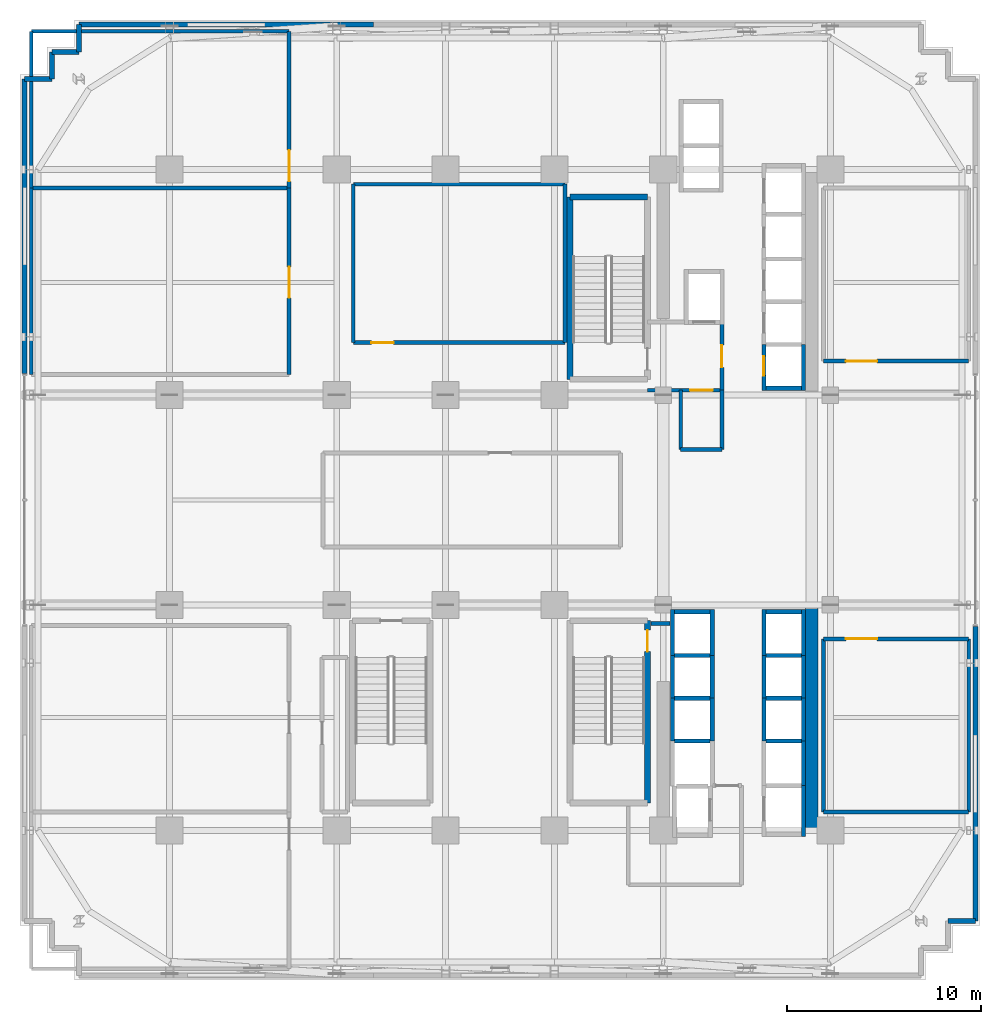
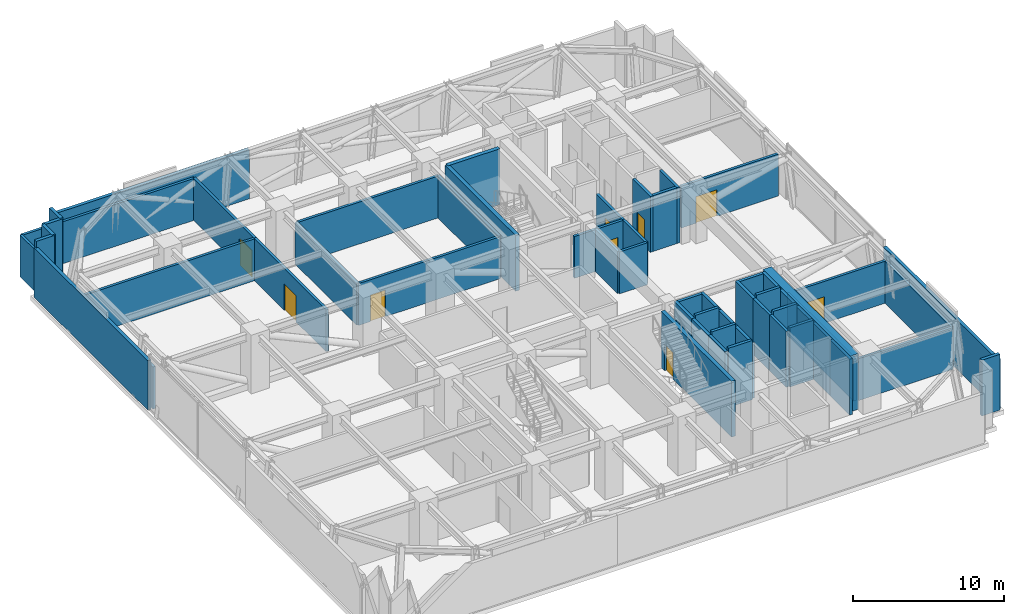
# One storey, part 11 of 17: 58 walls, 9 doors, 9 openings.
"""IFC4 building model written with IfcOpenShell, lengths in metres."""

from ifc_helpers import new_model, si_unit, direction, frame, frame_2d, origin, place, context, subcontext, project, spatial, rectangle, extrude, source, transform, mapped, material, layer, layer_set, type_object, element, fill, save


model = new_model("IFC4")

# Units and contexts
model_context = context("Model", 3, precision=1e-05, world=origin(), true_north=direction((0.0, 1.0)))
body_context = subcontext(model_context, "Body", "Model", "MODEL_VIEW")
ifc_project = project(units=[si_unit("LENGTHUNIT", "METRE"), si_unit("AREAUNIT", "SQUARE_METRE"), si_unit("VOLUMEUNIT", "CUBIC_METRE"), si_unit("PLANEANGLEUNIT", "RADIAN"), si_unit("MASSUNIT", "GRAM", prefix="KILO")], contexts=[model_context])

# Site, building, storey
site_placement = place(None, origin())
site = spatial("IfcSite", under=ifc_project, at=site_placement, CompositionType="ELEMENT")
building_placement = place(site_placement, origin())
building = spatial("IfcBuilding", under=site, at=building_placement, Name="Nahalor Promenade Grand Hotel", CompositionType="ELEMENT")
storey_placement = place(building_placement, frame((0.0, 0.0, 83.5)))
storey = spatial("IfcBuildingStorey", under=building, at=storey_placement, Name="L20", CompositionType="ELEMENT", Elevation=83.5)

# Walls
ifc_material_1 = material(Name="Concrete B-60 (C50/60)", Category="concrete")
ifc_layer_1 = layer(ifc_material_1, 0.64990234375)
ifc_layer_set_1 = layer_set([ifc_layer_1], Name="Concrete B-60 (C50/60)")
wall_type_1 = type_object("IfcWallType", Name="Wall-CoreShear-650", PredefinedType="SHEAR", material=ifc_layer_set_1)
shared_shape_1 = source(origin(), body_context, "Body", "SweptSolid", [
    extrude(rectangle(XDim=11.60009765625, YDim=0.64990234375, at=frame_2d((5.800048828125, 0.0))), origin(), (0.0, 0.0, 1.0), 4.530029296875),
])
wall_1_placement = place(storey_placement, frame((16.050048828125, -17.0, 0.0), z_axis=(0.0, 0.0, 1.0), x_axis=(0.0, 1.0, 0.0)))
element("IfcWall", 1, at=wall_1_placement, inside=storey, type_object=wall_type_1, Name="CWALL-L20-SE", PredefinedType="SHEAR", context=body_context, shape_type="MappedRepresentation", body=[
    mapped(shared_shape_1, transform((0.0, 0.0, 0.0), scale=1.0)),
])
ifc_material_2 = material(Name="Concrete B-50 (C40/50)", Category="concrete")
ifc_layer_2 = layer(ifc_material_2, 0.300048828125)
ifc_layer_set_2 = layer_set([ifc_layer_2], Name="Concrete B-50 (C40/50)")
wall_type_2 = type_object("IfcWallType", Name="Wall-ShaftShear-300", PredefinedType="SHEAR", material=ifc_layer_set_2)
shared_shape_2 = source(origin(), body_context, "Body", "SweptSolid", [
    extrude(rectangle(XDim=3.97998046875, YDim=0.300048828125, at=frame_2d((1.989990234375, 0.0))), origin(), (0.0, 0.0, 1.0), 4.530029296875),
])
wall_2_placement = place(storey_placement, frame((3.610107421875, 15.590087890625, 0.0), z_axis=(0.0, 0.0, 1.0), x_axis=(1.0, 0.0, 0.0)))
element("IfcWall", 2, at=wall_2_placement, inside=storey, type_object=wall_type_2, Name="L20 Exit Stair ST1 Shaft Wall N", PredefinedType="SHEAR", context=body_context, shape_type="MappedRepresentation", body=[
    mapped(shared_shape_2, transform((0.0, 0.0, 0.0), scale=1.0)),
])
shared_shape_3 = source(origin(), body_context, "Body", "SweptSolid", [
    extrude(rectangle(XDim=9.380126953125, YDim=0.300048828125, at=frame_2d((4.68994140625, 0.0))), origin(), (0.0, 0.0, 1.0), 4.530029296875),
])
wall_3_placement = place(storey_placement, frame((3.610107421875, 6.2099609375, 0.0), z_axis=(0.0, 0.0, 1.0), x_axis=(0.0, 1.0, 0.0)))
element("IfcWall", 3, at=wall_3_placement, inside=storey, type_object=wall_type_2, Name="L20 Exit Stair ST1 Shaft Wall W", PredefinedType="SHEAR", context=body_context, shape_type="MappedRepresentation", body=[
    mapped(shared_shape_3, transform((0.0, 0.0, 0.0), scale=1.0)),
])

# Wall, opening, door
wall_4_placement = place(storey_placement, frame((7.590087890625, -15.590087890625, 0.0), z_axis=(0.0, 0.0, 1.0), x_axis=(0.0, 1.0, 0.0)))
wall_4 = element("IfcWall", 4, at=wall_4_placement, inside=storey, type_object=wall_type_2, Name="L20 Exit Stair ST2 Shaft Wall E", PredefinedType="SHEAR", context=body_context, shape_type="MappedRepresentation", body=[
    mapped(shared_shape_3, transform((0.0, 0.0, 0.0), scale=1.0)),
])
opening_1_placement = place(wall_4_placement, frame((7.7900390625, 0.0, 0.0)))
opening_1 = element("IfcOpeningElement", 5, at=opening_1_placement, cuts=wall_4, Name="Opening D-ST1", PredefinedType="OPENING", context=body_context, shape_type="SweptSolid", body=[
    extrude(rectangle(XDim=1.10009765625, YDim=2.14990234375, at=frame_2d((0.550048828125, 1.074951171875))), frame((0.0, 0.159912109375, 0.0), z_axis=(0.0, -1.0, 0.0), x_axis=(1.0, 0.0, 0.0)), (0.0, 0.0, 1.0), 0.320068359375),
])
ifc_material_3 = material(Name="Steel S355JR", Category="steel")
door_type_1 = type_object("IfcDoorType", Name="Door-StairFire-1100", OperationType="NOTDEFINED", PredefinedType="DOOR", material=ifc_material_3)
shared_shape_4 = source(origin(), body_context, "Body", "SweptSolid", [
    extrude(rectangle(XDim=1.10009765625, YDim=2.14990234375, at=frame_2d((0.550048828125, 1.074951171875))), frame((0.0, 0.02490234375, 0.0), z_axis=(0.0, -1.0, 0.0), x_axis=(1.0, 0.0, 0.0)), (0.0, 0.0, 1.0), 0.050048828125),
])
door_1_placement = place(opening_1_placement, origin())
door_1 = element("IfcDoor", 6, at=door_1_placement, inside=storey, type_object=door_type_1, Name="DR-STAIR-ST2-L20", OperationType="SINGLE_SWING_LEFT", OverallHeight=2.14990234375, OverallWidth=1.10009765625, PredefinedType="DOOR", context=body_context, shape_type="MappedRepresentation", body=[
    mapped(shared_shape_4, transform((0.0, 0.0, 0.0), scale=1.0)),
])
fill(opening_1, door_1)

ifc_layer_3 = layer(ifc_material_2, 0.219970703125)
ifc_layer_set_3 = layer_set([ifc_layer_3], Name="Concrete B-50 (C40/50)")
wall_type_3 = type_object("IfcWallType", Name="Wall-LiftShaft-220", PredefinedType="SHEAR", material=ifc_layer_set_3)
shared_shape_5 = source(origin(), body_context, "Body", "SweptSolid", [
    extrude(rectangle(XDim=2.360107421875, YDim=0.219970703125, at=frame_2d((1.18017578125, 0.0))), origin(), (0.0, 0.0, 1.0), 4.530029296875),
])
wall_5_placement = place(storey_placement, frame((13.580078125, 5.639892578125, 0.0), z_axis=(0.0, 0.0, 1.0), x_axis=(0.0, 1.0, 0.0)))
wall_5 = element("IfcWall", 7, at=wall_5_placement, inside=storey, type_object=wall_type_3, Name="L20 Lift PL1 Hoistway Wall W", PredefinedType="SHEAR", context=body_context, shape_type="MappedRepresentation", body=[
    mapped(shared_shape_5, transform((0.0, 0.0, 0.0), scale=1.0)),
])
opening_2_placement = place(wall_5_placement, frame((0.760009765625, 0.0, 0.0)))
opening_2 = element("IfcOpeningElement", 8, at=opening_2_placement, cuts=wall_5, Name="Opening LD-01", PredefinedType="OPENING", context=body_context, shape_type="SweptSolid", body=[
    extrude(rectangle(XDim=1.0, YDim=2.199951171875, at=frame_2d((0.5, 1.10009765625))), frame((0.0, 0.119873046875, 0.0), z_axis=(0.0, -1.0, 0.0), x_axis=(1.0, 0.0, 0.0)), (0.0, 0.0, 1.0), 0.239990234375),
])
door_type_2 = type_object("IfcDoorType", Name="Door-LiftLanding-1000", OperationType="DOUBLE_DOOR_SLIDING", PredefinedType="DOOR", material=ifc_material_3)
shared_shape_6 = source(origin(), body_context, "Body", "SweptSolid", [
    extrude(rectangle(XDim=1.0, YDim=2.199951171875, at=frame_2d((0.5, 1.10009765625))), frame((0.0, 0.02490234375, 0.0), z_axis=(0.0, -1.0, 0.0), x_axis=(1.0, 0.0, 0.0)), (0.0, 0.0, 1.0), 0.050048828125),
])
door_2_placement = place(opening_2_placement, origin())
door_2 = element("IfcDoor", 9, at=door_2_placement, inside=storey, type_object=door_type_2, Name="DR-LIFT-PL1-L20", OperationType="DOUBLE_DOOR_SLIDING", OverallHeight=2.199951171875, OverallWidth=1.0, PredefinedType="DOOR", context=body_context, shape_type="MappedRepresentation", body=[
    mapped(shared_shape_6, transform((0.0, 0.0, 0.0), scale=1.0)),
])
fill(opening_2, door_2)

# Walls
for number, where, z_axis, x_axis, name in (
    (10, (15.6201171875, 5.639892578125, 0.0), (0.0, 0.0, 1.0), (0.0, 1.0, 0.0), "L20 Lift PL1 Hoistway Wall E"),
    (11, (13.580078125, -8.0, 0.0), (0.0, 0.0, 1.0), (0.0, 1.0, 0.0), "L20 Lift PL5 Hoistway Wall W"),
    (12, (15.6201171875, -8.0, 0.0), (0.0, 0.0, 1.0), (0.0, 1.0, 0.0), "L20 Lift PL5 Hoistway Wall E"),
    (13, (8.8798828125, -8.0, 0.0), (0.0, 0.0, 1.0), (0.0, 1.0, 0.0), "L20 Lift PL9 Hoistway Wall W"),
    (14, (10.919921875, -8.0, 0.0), (0.0, 0.0, 1.0), (0.0, 1.0, 0.0), "L20 Lift PL9 Hoistway Wall E"),
):
    element("IfcWall", number, at=place(storey_placement, frame(where, z_axis=z_axis, x_axis=x_axis)), inside=storey, type_object=wall_type_3, Name=name, PredefinedType="SHEAR", context=body_context, shape_type="MappedRepresentation", body=[
        mapped(shared_shape_5, transform((0.0, 0.0, 0.0), scale=1.0)),
    ])
shared_shape_7 = source(origin(), body_context, "Body", "SweptSolid", [
    extrude(rectangle(XDim=1.820068359375, YDim=0.219970703125, at=frame_2d((0.91015625, 0.0))), origin(), (0.0, 0.0, 1.0), 4.530029296875),
])
for number, where, z_axis, x_axis, name in (
    (15, (13.68994140625, 5.75, 0.0), (0.0, 0.0, 1.0), (1.0, 0.0, 0.0), "L20 Lift PL1 Hoistway Wall S"),
    (16, (13.68994140625, -5.75, 0.0), (0.0, 0.0, 1.0), (1.0, 0.0, 0.0), "L20 Lift PL5 Hoistway Wall N"),
    (17, (8.989990234375, -5.75, 0.0), (0.0, 0.0, 1.0), (1.0, 0.0, 0.0), "L20 Lift PL9 Hoistway Wall N"),
):
    element("IfcWall", number, at=place(storey_placement, frame(where, z_axis=z_axis, x_axis=x_axis)), inside=storey, type_object=wall_type_3, Name=name, PredefinedType="SHEAR", context=body_context, shape_type="MappedRepresentation", body=[
        mapped(shared_shape_7, transform((0.0, 0.0, 0.0), scale=1.0)),
    ])
shared_shape_8 = source(origin(), body_context, "Body", "SweptSolid", [
    extrude(rectangle(XDim=1.820068359375, YDim=0.219970703125, at=frame_2d((0.91015625, 0.0))), origin(), (0.0, 0.0, 1.0), 4.800048828125),
])
for number, where, z_axis, x_axis, name in (
    (18, (13.68994140625, -8.0, 0.0), (0.0, 0.0, 1.0), (1.0, 0.0, 0.0), "L20 Lift PL6 Hoistway Wall N"),
    (19, (13.68994140625, -10.199951171875, 0.0), (0.0, 0.0, 1.0), (1.0, 0.0, 0.0), "L20 Lift PL7 Hoistway Wall N"),
    (20, (13.68994140625, -12.39990234375, 0.0), (0.0, 0.0, 1.0), (1.0, 0.0, 0.0), "L20 Lift PL8 Hoistway Wall N"),
    (21, (8.989990234375, -8.0, 0.0), (0.0, 0.0, 1.0), (1.0, 0.0, 0.0), "L20 Lift PL10 Hoistway Wall N"),
    (22, (8.989990234375, -10.199951171875, 0.0), (0.0, 0.0, 1.0), (1.0, 0.0, 0.0), "L20 Lift PL11 Hoistway Wall N"),
    (23, (8.989990234375, -12.39990234375, 0.0), (0.0, 0.0, 1.0), (1.0, 0.0, 0.0), "L20 Lift PL12 Hoistway Wall N"),
):
    element("IfcWall", number, at=place(storey_placement, frame(where, z_axis=z_axis, x_axis=x_axis)), inside=storey, type_object=wall_type_3, Name=name, PredefinedType="SHEAR", context=body_context, shape_type="MappedRepresentation", body=[
        mapped(shared_shape_8, transform((0.0, 0.0, 0.0), scale=1.0)),
    ])
shared_shape_9 = source(origin(), body_context, "Body", "SweptSolid", [
    extrude(rectangle(XDim=2.199951171875, YDim=0.219970703125, at=frame_2d((1.10009765625, 0.0))), origin(), (0.0, 0.0, 1.0), 4.530029296875),
])
for number, where, z_axis, x_axis, name in (
    (24, (13.580078125, -10.199951171875, 0.0), (0.0, 0.0, 1.0), (0.0, 1.0, 0.0), "L20 Lift PL6 Hoistway Wall W"),
    (25, (15.6201171875, -10.199951171875, 0.0), (0.0, 0.0, 1.0), (0.0, 1.0, 0.0), "L20 Lift PL6 Hoistway Wall E"),
    (26, (13.580078125, -12.39990234375, 0.0), (0.0, 0.0, 1.0), (0.0, 1.0, 0.0), "L20 Lift PL7 Hoistway Wall W"),
    (27, (15.6201171875, -12.39990234375, 0.0), (0.0, 0.0, 1.0), (0.0, 1.0, 0.0), "L20 Lift PL7 Hoistway Wall E"),
    (28, (8.8798828125, -10.199951171875, 0.0), (0.0, 0.0, 1.0), (0.0, 1.0, 0.0), "L20 Lift PL10 Hoistway Wall W"),
    (29, (10.919921875, -10.199951171875, 0.0), (0.0, 0.0, 1.0), (0.0, 1.0, 0.0), "L20 Lift PL10 Hoistway Wall E"),
    (30, (8.8798828125, -12.39990234375, 0.0), (0.0, 0.0, 1.0), (0.0, 1.0, 0.0), "L20 Lift PL11 Hoistway Wall W"),
    (31, (10.919921875, -12.39990234375, 0.0), (0.0, 0.0, 1.0), (0.0, 1.0, 0.0), "L20 Lift PL11 Hoistway Wall E"),
):
    element("IfcWall", number, at=place(storey_placement, frame(where, z_axis=z_axis, x_axis=x_axis)), inside=storey, type_object=wall_type_3, Name=name, PredefinedType="SHEAR", context=body_context, shape_type="MappedRepresentation", body=[
        mapped(shared_shape_9, transform((0.0, 0.0, 0.0), scale=1.0)),
    ])
shared_shape_10 = source(origin(), body_context, "Body", "SweptSolid", [
    extrude(rectangle(XDim=2.300048828125, YDim=0.219970703125, at=frame_2d((1.14990234375, 0.0))), origin(), (0.0, 0.0, 1.0), 4.530029296875),
])
wall_6_placement = place(storey_placement, frame((15.6201171875, -14.699951171875, 0.0), z_axis=(0.0, 0.0, 1.0), x_axis=(0.0, 1.0, 0.0)))
element("IfcWall", 32, at=wall_6_placement, inside=storey, type_object=wall_type_3, Name="L20 Lift PL8 Hoistway Wall E", PredefinedType="SHEAR", context=body_context, shape_type="MappedRepresentation", body=[
    mapped(shared_shape_10, transform((0.0, 0.0, 0.0), scale=1.0)),
])
shared_shape_11 = source(origin(), body_context, "Body", "SweptSolid", [
    extrude(rectangle(XDim=2.610107421875, YDim=0.219970703125, at=frame_2d((1.30517578125, 0.0))), origin(), (0.0, 0.0, 1.0), 4.530029296875),
])
wall_7_placement = place(storey_placement, frame((15.6201171875, -17.31005859375, 0.0), z_axis=(0.0, 0.0, 1.0), x_axis=(0.0, 1.0, 0.0)))
element("IfcWall", 33, at=wall_7_placement, inside=storey, type_object=wall_type_3, Name="L20 Lift SV2 Hoistway Wall E", PredefinedType="SHEAR", context=body_context, shape_type="MappedRepresentation", body=[
    mapped(shared_shape_11, transform((0.0, 0.0, 0.0), scale=1.0)),
])
ifc_material_4 = material(Name="Concrete B-40 (C32/40)", Category="concrete")
ifc_layer_4 = layer(ifc_material_4, 0.25)
ifc_layer_set_4 = layer_set([ifc_layer_4], Name="Concrete B-40 (C32/40)")
wall_type_4 = type_object("IfcWallType", Name="Wall-BronzePier-250", PredefinedType="STANDARD", material=ifc_layer_set_4)
shared_shape_12 = source(origin(), body_context, "Body", "SweptSolid", [
    extrude(rectangle(XDim=1.39990234375, YDim=0.25, at=frame_2d((0.699951171875, 0.0))), origin(), (0.0, 0.0, 1.0), 4.530029296875),
])
for number, where, z_axis, x_axis, name in (
    (34, (23.06005859375, -21.659912109375, 0.0), (0.0, 0.0, 1.0), (1.0, 0.0, 0.0), "W-L20-SR-04"),
    (35, (-21.659912109375, 23.06005859375, 0.0), (0.0, 0.0, 1.0), (0.0, 1.0, 0.0), "W-L20-SR-09"),
    (36, (-24.4599609375, 21.659912109375, 0.0), (0.0, 0.0, 1.0), (1.0, 0.0, 0.0), "W-L20-SR-12"),
):
    element("IfcWall", number, at=place(storey_placement, frame(where, z_axis=z_axis, x_axis=x_axis)), inside=storey, type_object=wall_type_4, Name=name, PredefinedType="STANDARD", context=body_context, shape_type="MappedRepresentation", body=[
        mapped(shared_shape_12, transform((0.0, 0.0, 0.0), scale=1.0)),
    ])
shared_shape_13 = source(origin(), body_context, "Body", "SweptSolid", [
    extrude(rectangle(XDim=1.400146484375, YDim=0.25, at=frame_2d((0.7001953125, 0.0))), origin(), (0.0, 0.0, 1.0), 4.530029296875),
])
for number, where, z_axis, x_axis, name in (
    (37, (-23.06005859375, 23.06005859375, 0.0), (0.0, 0.0, 1.0), (1.0, 0.0, 0.0), "W-L20-SR-10"),
    (38, (-23.06005859375, 21.659912109375, 0.0), (0.0, 0.0, 1.0), (0.0, 1.0, 0.0), "W-L20-SR-11"),
):
    element("IfcWall", number, at=place(storey_placement, frame(where, z_axis=z_axis, x_axis=x_axis)), inside=storey, type_object=wall_type_4, Name=name, PredefinedType="STANDARD", context=body_context, shape_type="MappedRepresentation", body=[
        mapped(shared_shape_13, transform((0.0, 0.0, 0.0), scale=1.0)),
    ])
shared_shape_14 = source(origin(), body_context, "Body", "SweptSolid", [
    extrude(rectangle(XDim=15.159912109375, YDim=0.25, at=frame_2d((7.580078125, 0.0))), origin(), (0.0, 0.0, 1.0), 4.010009765625),
])
for number, where, z_axis, x_axis, name in (
    (39, (-21.659912109375, 24.4599609375, 0.0), (0.0, 0.0, 1.0), (1.0, 0.0, 0.0), "W-L20-PL-NL"),
    (40, (-24.4599609375, 6.5, 0.0), (0.0, 0.0, 1.0), (0.0, 1.0, 0.0), "W-L20-PL-WR"),
    (41, (24.4599609375, -21.659912109375, 0.0), (0.0, 0.0, 1.0), (0.0, 1.0, 0.0), "W-L20-PL-EL"),
):
    element("IfcWall", number, at=place(storey_placement, frame(where, z_axis=z_axis, x_axis=x_axis)), inside=storey, type_object=wall_type_4, Name=name, PredefinedType="STANDARD", context=body_context, shape_type="MappedRepresentation", body=[
        mapped(shared_shape_14, transform((0.0, 0.0, 0.0), scale=1.0)),
    ])

# Wall, opening, door
ifc_layer_5 = layer(ifc_material_4, 0.199951171875)
ifc_layer_set_5 = layer_set([ifc_layer_5], Name="Concrete B-40 (C32/40)")
wall_type_5 = type_object("IfcWallType", Name="Wall-PartFire-200", PredefinedType="PARTITIONING", material=ifc_layer_set_5)
shared_shape_15 = source(origin(), body_context, "Body", "SweptSolid", [
    extrude(rectangle(XDim=3.81982421875, YDim=0.199951171875, at=frame_2d((1.909912109375, 0.0))), origin(), (0.0, 0.0, 1.0), 3.39990234375),
])
wall_8_placement = place(storey_placement, frame((7.60009765625, 5.64990234375, 0.0), z_axis=(0.0, 0.0, 1.0), x_axis=(1.0, 0.0, 0.0)))
wall_8 = element("IfcWall", 42, at=wall_8_placement, inside=storey, type_object=wall_type_5, Name="W-L20-FF1-S", PredefinedType="PARTITIONING", context=body_context, shape_type="MappedRepresentation", body=[
    mapped(shared_shape_15, transform((0.0, 0.0, 0.0), scale=1.0)),
])
opening_3_placement = place(wall_8_placement, frame((2.18505859375, 0.0, 0.0)))
opening_3 = element("IfcOpeningElement", 43, at=opening_3_placement, cuts=wall_8, Name="Opening D-FF1", PredefinedType="OPENING", context=body_context, shape_type="SweptSolid", body=[
    extrude(rectangle(XDim=1.14990234375, YDim=2.14990234375, at=frame_2d((0.574951171875, 1.074951171875))), frame((0.0, 0.10986328125, 0.0), z_axis=(0.0, -1.0, 0.0), x_axis=(1.0, 0.0, 0.0)), (0.0, 0.0, 1.0), 0.219970703125),
])
door_type_3 = type_object("IfcDoorType", Name="Door-FFLobby-1150", OperationType="NOTDEFINED", PredefinedType="DOOR", material=ifc_material_3)
shared_shape_16 = source(origin(), body_context, "Body", "SweptSolid", [
    extrude(rectangle(XDim=1.14990234375, YDim=2.14990234375, at=frame_2d((0.574951171875, 1.074951171875))), frame((0.0, 0.02490234375, 0.0), z_axis=(0.0, -1.0, 0.0), x_axis=(1.0, 0.0, 0.0)), (0.0, 0.0, 1.0), 0.050048828125),
])
door_3_placement = place(opening_3_placement, frame((1.14990234375, 0.0, 0.0), z_axis=(0.0, 0.0, 1.0), x_axis=(-1.0, 0.0, 0.0)))
door_3 = element("IfcDoor", 44, at=door_3_placement, inside=storey, type_object=door_type_3, Name="DR-L20-REF-FF1", OperationType="SINGLE_SWING_LEFT", OverallHeight=2.14990234375, OverallWidth=1.14990234375, PredefinedType="DOOR", context=body_context, shape_type="MappedRepresentation", body=[
    mapped(shared_shape_16, transform((0.0, 0.0, 0.0), scale=1.0)),
])
fill(opening_3, door_3)

shared_shape_17 = source(origin(), body_context, "Body", "SweptSolid", [
    extrude(rectangle(XDim=3.5, YDim=0.199951171875, at=frame_2d((1.75, 0.0))), origin(), (0.0, 0.0, 1.0), 3.39990234375),
])
wall_9_placement = place(storey_placement, frame((11.419921875, 5.64990234375, 0.0), z_axis=(0.0, 0.0, 1.0), x_axis=(0.0, 1.0, 0.0)))
wall_9 = element("IfcWall", 45, at=wall_9_placement, inside=storey, type_object=wall_type_5, Name="W-L20-FF1-E", PredefinedType="PARTITIONING", context=body_context, shape_type="MappedRepresentation", body=[
    mapped(shared_shape_17, transform((0.0, 0.0, 0.0), scale=1.0)),
])
opening_4_placement = place(wall_9_placement, frame((1.175048828125, 0.0, 0.0)))
opening_4 = element("IfcOpeningElement", 46, at=opening_4_placement, cuts=wall_9, Name="Opening D-FF1", PredefinedType="OPENING", context=body_context, shape_type="SweptSolid", body=[
    extrude(rectangle(XDim=1.14990234375, YDim=2.14990234375, at=frame_2d((0.574951171875, 1.074951171875))), frame((0.0, 0.10986328125, 0.0), z_axis=(0.0, -1.0, 0.0), x_axis=(1.0, 0.0, 0.0)), (0.0, 0.0, 1.0), 0.219970703125),
])
door_4_placement = place(opening_4_placement, frame((1.14990234375, 0.0, 0.0), z_axis=(0.0, 0.0, 1.0), x_axis=(-1.0, 0.0, 0.0)))
door_4 = element("IfcDoor", 47, at=door_4_placement, inside=storey, type_object=door_type_3, Name="DR-L20-FFL1", OperationType="SINGLE_SWING_LEFT", OverallHeight=2.14990234375, OverallWidth=1.14990234375, PredefinedType="DOOR", context=body_context, shape_type="MappedRepresentation", body=[
    mapped(shared_shape_16, transform((0.0, 0.0, 0.0), scale=1.0)),
])
fill(opening_4, door_4)

# Walls
shared_shape_18 = source(origin(), body_context, "Body", "SweptSolid", [
    extrude(rectangle(XDim=0.969970703125, YDim=0.199951171875, at=frame_2d((0.48486328125, 0.0))), origin(), (0.0, 0.0, 1.0), 3.39990234375),
])
wall_10_placement = place(storey_placement, frame((7.77001953125, -6.35009765625, 0.0), z_axis=(0.0, 0.0, 1.0), x_axis=(1.0, 0.0, 0.0)))
element("IfcWall", 48, at=wall_10_placement, inside=storey, type_object=wall_type_5, Name="W-L20-FF2-N2", PredefinedType="PARTITIONING", context=body_context, shape_type="MappedRepresentation", body=[
    mapped(shared_shape_18, transform((0.0, 0.0, 0.0), scale=1.0)),
])
shared_shape_19 = source(origin(), body_context, "Body", "SweptSolid", [
    extrude(rectangle(XDim=2.119873046875, YDim=0.199951171875, at=frame_2d((1.06005859375, 0.0))), origin(), (0.0, 0.0, 1.0), 3.39990234375),
])
wall_11_placement = place(storey_placement, frame((9.300048828125, 2.60009765625, 0.0), z_axis=(0.0, 0.0, 1.0), x_axis=(1.0, 0.0, 0.0)))
element("IfcWall", 49, at=wall_11_placement, inside=storey, type_object=wall_type_5, Name="W-L20-REF-S", PredefinedType="PARTITIONING", context=body_context, shape_type="MappedRepresentation", body=[
    mapped(shared_shape_19, transform((0.0, 0.0, 0.0), scale=1.0)),
])
shared_shape_20 = source(origin(), body_context, "Body", "SweptSolid", [
    extrude(rectangle(XDim=3.0498046875, YDim=0.199951171875, at=frame_2d((1.52490234375, 0.0))), origin(), (0.0, 0.0, 1.0), 3.39990234375),
])
for number, where, z_axis, x_axis, name in (
    (50, (9.300048828125, 2.60009765625, 0.0), (0.0, 0.0, 1.0), (0.0, 1.0, 0.0), "W-L20-REF-W"),
    (51, (11.419921875, 2.60009765625, 0.0), (0.0, 0.0, 1.0), (0.0, 1.0, 0.0), "W-L20-REF-E"),
):
    element("IfcWall", number, at=place(storey_placement, frame(where, z_axis=z_axis, x_axis=x_axis)), inside=storey, type_object=wall_type_5, Name=name, PredefinedType="PARTITIONING", context=body_context, shape_type="MappedRepresentation", body=[
        mapped(shared_shape_20, transform((0.0, 0.0, 0.0), scale=1.0)),
    ])

# Wall, opening, door
shared_shape_21 = source(origin(), body_context, "Body", "SweptSolid", [
    extrude(rectangle(XDim=10.89013671875, YDim=0.199951171875, at=frame_2d((5.445068359375, 0.0))), origin(), (0.0, 0.0, 1.0), 3.39990234375),
])
wall_12_placement = place(storey_placement, frame((-7.550048828125, 8.10009765625, 0.0), z_axis=(0.0, 0.0, 1.0), x_axis=(1.0, 0.0, 0.0)))
wall_12 = element("IfcWall", 52, at=wall_12_placement, inside=storey, type_object=wall_type_5, Name="W-L20-REF2-S", PredefinedType="PARTITIONING", context=body_context, shape_type="MappedRepresentation", body=[
    mapped(shared_shape_21, transform((0.0, 0.0, 0.0), scale=1.0)),
])
opening_5_placement = place(wall_12_placement, frame((0.925048828125, 0.0, 0.0)))
opening_5 = element("IfcOpeningElement", 53, at=opening_5_placement, cuts=wall_12, Name="Opening D-FF1", PredefinedType="OPENING", context=body_context, shape_type="SweptSolid", body=[
    extrude(rectangle(XDim=1.14990234375, YDim=2.14990234375, at=frame_2d((0.574951171875, 1.074951171875))), frame((0.0, 0.10986328125, 0.0), z_axis=(0.0, -1.0, 0.0), x_axis=(1.0, 0.0, 0.0)), (0.0, 0.0, 1.0), 0.219970703125),
])
door_5_placement = place(opening_5_placement, origin())
door_5 = element("IfcDoor", 54, at=door_5_placement, inside=storey, type_object=door_type_3, Name="DR-L20-REF2", OperationType="SINGLE_SWING_RIGHT", OverallHeight=2.14990234375, OverallWidth=1.14990234375, PredefinedType="DOOR", context=body_context, shape_type="MappedRepresentation", body=[
    mapped(shared_shape_16, transform((0.0, 0.0, 0.0), scale=1.0)),
])
fill(opening_5, door_5)

# Walls
wall_13_placement = place(storey_placement, frame((-7.550048828125, 16.25, 0.0), z_axis=(0.0, 0.0, 1.0), x_axis=(1.0, 0.0, 0.0)))
element("IfcWall", 55, at=wall_13_placement, inside=storey, type_object=wall_type_5, Name="W-L20-REF2-N", PredefinedType="PARTITIONING", context=body_context, shape_type="MappedRepresentation", body=[
    mapped(shared_shape_21, transform((0.0, 0.0, 0.0), scale=1.0)),
])
shared_shape_22 = source(origin(), body_context, "Body", "SweptSolid", [
    extrude(rectangle(XDim=8.14990234375, YDim=0.199951171875, at=frame_2d((4.074951171875, 0.0))), origin(), (0.0, 0.0, 1.0), 3.39990234375),
])
for number, where, z_axis, x_axis, name in (
    (56, (-7.550048828125, 8.10009765625, 0.0), (0.0, 0.0, 1.0), (0.0, 1.0, 0.0), "W-L20-REF2-W"),
    (57, (3.340087890625, 8.10009765625, 0.0), (0.0, 0.0, 1.0), (0.0, 1.0, 0.0), "W-L20-REF2-E"),
):
    element("IfcWall", number, at=place(storey_placement, frame(where, z_axis=z_axis, x_axis=x_axis)), inside=storey, type_object=wall_type_5, Name=name, PredefinedType="PARTITIONING", context=body_context, shape_type="MappedRepresentation", body=[
        mapped(shared_shape_22, transform((0.0, 0.0, 0.0), scale=1.0)),
    ])
shared_shape_23 = source(origin(), body_context, "Body", "SweptSolid", [
    extrude(rectangle(XDim=13.27001953125, YDim=0.199951171875, at=frame_2d((6.635009765625, 0.0))), origin(), (0.0, 0.0, 1.0), 3.39990234375),
])
for number, where, z_axis, x_axis, name in (
    (58, (-24.1201171875, 16.050048828125, 0.0), (0.0, 0.0, 1.0), (1.0, 0.0, 0.0), "W-L20-MP1-N"),
    (59, (-24.1201171875, 24.1201171875, 0.0), (0.0, 0.0, 1.0), (1.0, 0.0, 0.0), "W-L20-MP2-N"),
):
    element("IfcWall", number, at=place(storey_placement, frame(where, z_axis=z_axis, x_axis=x_axis)), inside=storey, type_object=wall_type_5, Name=name, PredefinedType="PARTITIONING", context=body_context, shape_type="MappedRepresentation", body=[
        mapped(shared_shape_23, transform((0.0, 0.0, 0.0), scale=1.0)),
    ])
shared_shape_24 = source(origin(), body_context, "Body", "SweptSolid", [
    extrude(rectangle(XDim=9.60009765625, YDim=0.199951171875, at=frame_2d((4.800048828125, 0.0))), origin(), (0.0, 0.0, 1.0), 3.39990234375),
])
wall_14_placement = place(storey_placement, frame((-24.1201171875, 6.449951171875, 0.0), z_axis=(0.0, 0.0, 1.0), x_axis=(0.0, 1.0, 0.0)))
element("IfcWall", 60, at=wall_14_placement, inside=storey, type_object=wall_type_5, Name="W-L20-MP1-W", PredefinedType="PARTITIONING", context=body_context, shape_type="MappedRepresentation", body=[
    mapped(shared_shape_24, transform((0.0, 0.0, 0.0), scale=1.0)),
])

# Wall, opening, door
wall_15_placement = place(storey_placement, frame((-10.85009765625, 6.449951171875, 0.0), z_axis=(0.0, 0.0, 1.0), x_axis=(0.0, 1.0, 0.0)))
wall_15 = element("IfcWall", 61, at=wall_15_placement, inside=storey, type_object=wall_type_5, Name="W-L20-MP1-E", PredefinedType="PARTITIONING", context=body_context, shape_type="MappedRepresentation", body=[
    mapped(shared_shape_24, transform((0.0, 0.0, 0.0), scale=1.0)),
])
opening_6_placement = place(wall_15_placement, frame((3.949951171875, 0.0, 0.0)))
opening_6 = element("IfcOpeningElement", 62, at=opening_6_placement, cuts=wall_15, Name="Opening D-06", PredefinedType="OPENING", context=body_context, shape_type="SweptSolid", body=[
    extrude(rectangle(XDim=1.60009765625, YDim=2.14990234375, at=frame_2d((0.800048828125, 1.074951171875))), frame((0.0, 0.10986328125, 0.0), z_axis=(0.0, -1.0, 0.0), x_axis=(1.0, 0.0, 0.0)), (0.0, 0.0, 1.0), 0.219970703125),
])
door_type_4 = type_object("IfcDoorType", Name="Door-PlantDouble-1600", OperationType="DOUBLE_DOOR_SINGLE_SWING", PredefinedType="DOOR", material=ifc_material_3)
shared_shape_25 = source(origin(), body_context, "Body", "SweptSolid", [
    extrude(rectangle(XDim=1.60009765625, YDim=2.14990234375, at=frame_2d((0.800048828125, 1.074951171875))), frame((0.0, 0.02490234375, 0.0), z_axis=(0.0, -1.0, 0.0), x_axis=(1.0, 0.0, 0.0)), (0.0, 0.0, 1.0), 0.050048828125),
])
door_6_placement = place(opening_6_placement, origin())
door_6 = element("IfcDoor", 63, at=door_6_placement, inside=storey, type_object=door_type_4, Name="DR-L20-MP1", OperationType="DOUBLE_DOOR_SINGLE_SWING", OverallHeight=2.14990234375, OverallWidth=1.60009765625, PredefinedType="DOOR", context=body_context, shape_type="MappedRepresentation", body=[
    mapped(shared_shape_25, transform((0.0, 0.0, 0.0), scale=1.0)),
])
fill(opening_6, door_6)

# Wall
shared_shape_26 = source(origin(), body_context, "Body", "SweptSolid", [
    extrude(rectangle(XDim=8.070068359375, YDim=0.199951171875, at=frame_2d((4.03515625, 0.0))), origin(), (0.0, 0.0, 1.0), 3.39990234375),
])
wall_16_placement = place(storey_placement, frame((-24.1201171875, 16.050048828125, 0.0), z_axis=(0.0, 0.0, 1.0), x_axis=(0.0, 1.0, 0.0)))
element("IfcWall", 64, at=wall_16_placement, inside=storey, type_object=wall_type_5, Name="W-L20-MP2-W", PredefinedType="PARTITIONING", context=body_context, shape_type="MappedRepresentation", body=[
    mapped(shared_shape_26, transform((0.0, 0.0, 0.0), scale=1.0)),
])

# Wall, opening, door
wall_17_placement = place(storey_placement, frame((-10.85009765625, 16.050048828125, 0.0), z_axis=(0.0, 0.0, 1.0), x_axis=(0.0, 1.0, 0.0)))
wall_17 = element("IfcWall", 65, at=wall_17_placement, inside=storey, type_object=wall_type_5, Name="W-L20-MP2-E", PredefinedType="PARTITIONING", context=body_context, shape_type="MappedRepresentation", body=[
    mapped(shared_shape_26, transform((0.0, 0.0, 0.0), scale=1.0)),
])
opening_7_placement = place(wall_17_placement, frame((0.35009765625, 0.0, 0.0)))
opening_7 = element("IfcOpeningElement", 66, at=opening_7_placement, cuts=wall_17, Name="Opening D-06", PredefinedType="OPENING", context=body_context, shape_type="SweptSolid", body=[
    extrude(rectangle(XDim=1.60009765625, YDim=2.14990234375, at=frame_2d((0.800048828125, 1.074951171875))), frame((0.0, 0.10986328125, 0.0), z_axis=(0.0, -1.0, 0.0), x_axis=(1.0, 0.0, 0.0)), (0.0, 0.0, 1.0), 0.219970703125),
])
door_7_placement = place(opening_7_placement, origin())
door_7 = element("IfcDoor", 67, at=door_7_placement, inside=storey, type_object=door_type_4, Name="DR-L20-MP2", OperationType="DOUBLE_DOOR_SINGLE_SWING", OverallHeight=2.14990234375, OverallWidth=1.60009765625, PredefinedType="DOOR", context=body_context, shape_type="MappedRepresentation", body=[
    mapped(shared_shape_25, transform((0.0, 0.0, 0.0), scale=1.0)),
])
fill(opening_7, door_7)

shared_shape_27 = source(origin(), body_context, "Body", "SweptSolid", [
    extrude(rectangle(XDim=7.47021484375, YDim=0.199951171875, at=frame_2d((3.735107421875, 0.0))), origin(), (0.0, 0.0, 1.0), 3.39990234375),
])
wall_18_placement = place(storey_placement, frame((16.64990234375, 7.14990234375, 0.0), z_axis=(0.0, 0.0, 1.0), x_axis=(1.0, 0.0, 0.0)))
wall_18 = element("IfcWall", 68, at=wall_18_placement, inside=storey, type_object=wall_type_5, Name="W-L20-MP5-S", PredefinedType="PARTITIONING", context=body_context, shape_type="MappedRepresentation", body=[
    mapped(shared_shape_27, transform((0.0, 0.0, 0.0), scale=1.0)),
])
opening_8_placement = place(wall_18_placement, frame((1.14990234375, 0.0, 0.0)))
opening_8 = element("IfcOpeningElement", 69, at=opening_8_placement, cuts=wall_18, Name="Opening D-06", PredefinedType="OPENING", context=body_context, shape_type="SweptSolid", body=[
    extrude(rectangle(XDim=1.60009765625, YDim=2.14990234375, at=frame_2d((0.800048828125, 1.074951171875))), frame((0.0, 0.10986328125, 0.0), z_axis=(0.0, -1.0, 0.0), x_axis=(1.0, 0.0, 0.0)), (0.0, 0.0, 1.0), 0.219970703125),
])
door_8_placement = place(opening_8_placement, origin())
door_8 = element("IfcDoor", 70, at=door_8_placement, inside=storey, type_object=door_type_4, Name="DR-L20-MP5", OperationType="DOUBLE_DOOR_SINGLE_SWING", OverallHeight=2.14990234375, OverallWidth=1.60009765625, PredefinedType="DOOR", context=body_context, shape_type="MappedRepresentation", body=[
    mapped(shared_shape_25, transform((0.0, 0.0, 0.0), scale=1.0)),
])
fill(opening_8, door_8)

# Wall
wall_19_placement = place(storey_placement, frame((16.64990234375, -16.050048828125, 0.0), z_axis=(0.0, 0.0, 1.0), x_axis=(1.0, 0.0, 0.0)))
element("IfcWall", 71, at=wall_19_placement, inside=storey, type_object=wall_type_5, Name="W-L20-MP6-S", PredefinedType="PARTITIONING", context=body_context, shape_type="MappedRepresentation", body=[
    mapped(shared_shape_27, transform((0.0, 0.0, 0.0), scale=1.0)),
])

# Wall, opening, door
wall_20_placement = place(storey_placement, frame((16.64990234375, -7.14990234375, 0.0), z_axis=(0.0, 0.0, 1.0), x_axis=(1.0, 0.0, 0.0)))
wall_20 = element("IfcWall", 72, at=wall_20_placement, inside=storey, type_object=wall_type_5, Name="W-L20-MP6-N", PredefinedType="PARTITIONING", context=body_context, shape_type="MappedRepresentation", body=[
    mapped(shared_shape_27, transform((0.0, 0.0, 0.0), scale=1.0)),
])
opening_9_placement = place(wall_20_placement, frame((1.14990234375, 0.0, 0.0)))
opening_9 = element("IfcOpeningElement", 73, at=opening_9_placement, cuts=wall_20, Name="Opening D-06", PredefinedType="OPENING", context=body_context, shape_type="SweptSolid", body=[
    extrude(rectangle(XDim=1.60009765625, YDim=2.14990234375, at=frame_2d((0.800048828125, 1.074951171875))), frame((0.0, 0.10986328125, 0.0), z_axis=(0.0, -1.0, 0.0), x_axis=(1.0, 0.0, 0.0)), (0.0, 0.0, 1.0), 0.219970703125),
])
door_9_placement = place(opening_9_placement, frame((1.60009765625, 0.0, 0.0), z_axis=(0.0, 0.0, 1.0), x_axis=(-1.0, 0.0, 0.0)))
door_9 = element("IfcDoor", 74, at=door_9_placement, inside=storey, type_object=door_type_4, Name="DR-L20-MP6", OperationType="DOUBLE_DOOR_SINGLE_SWING", OverallHeight=2.14990234375, OverallWidth=1.60009765625, PredefinedType="DOOR", context=body_context, shape_type="MappedRepresentation", body=[
    mapped(shared_shape_25, transform((0.0, 0.0, 0.0), scale=1.0)),
])
fill(opening_9, door_9)

# Walls
shared_shape_28 = source(origin(), body_context, "Body", "SweptSolid", [
    extrude(rectangle(XDim=8.900146484375, YDim=0.199951171875, at=frame_2d((4.4501953125, 0.0))), origin(), (0.0, 0.0, 1.0), 3.39990234375),
])
for number, where, z_axis, x_axis, name in (
    (75, (16.64990234375, -16.050048828125, 0.0), (0.0, 0.0, 1.0), (0.0, 1.0, 0.0), "W-L20-MP6-W"),
    (76, (24.1201171875, -16.050048828125, 0.0), (0.0, 0.0, 1.0), (0.0, 1.0, 0.0), "W-L20-MP6-E"),
):
    element("IfcWall", number, at=place(storey_placement, frame(where, z_axis=z_axis, x_axis=x_axis)), inside=storey, type_object=wall_type_5, Name=name, PredefinedType="PARTITIONING", context=body_context, shape_type="MappedRepresentation", body=[
        mapped(shared_shape_28, transform((0.0, 0.0, 0.0), scale=1.0)),
    ])

save(model, "model.ifc")
